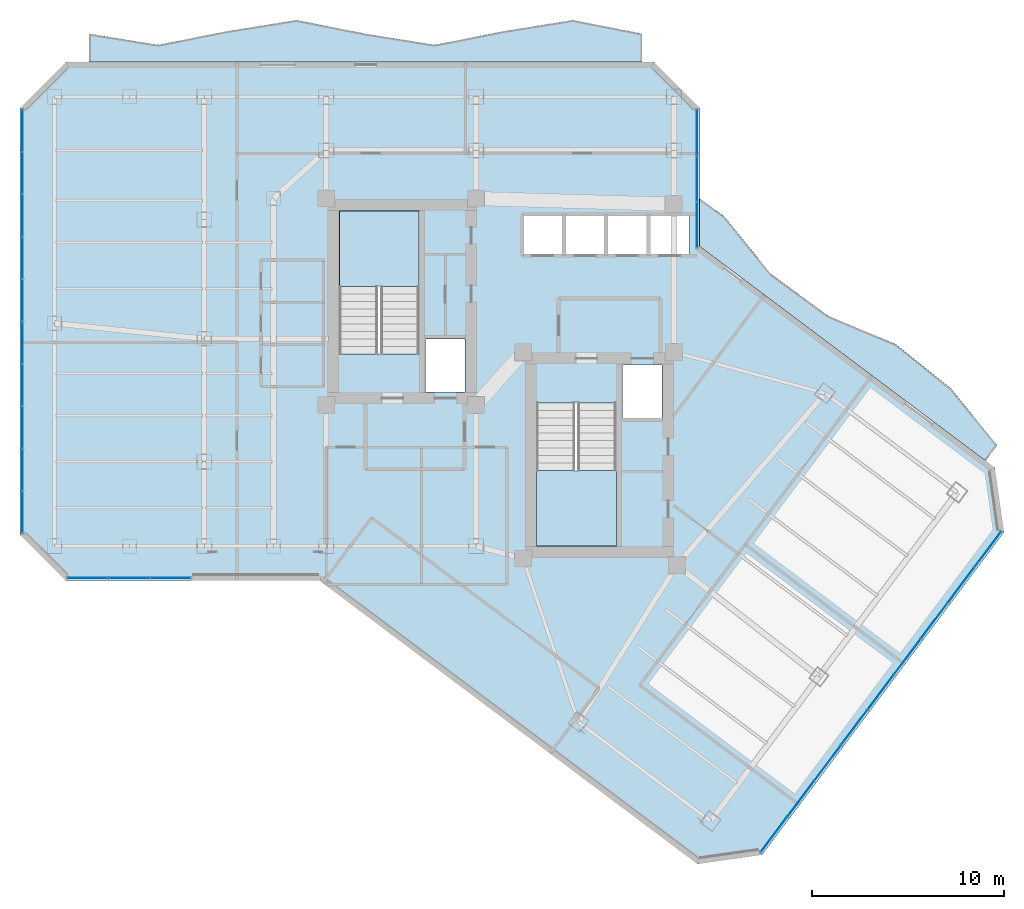
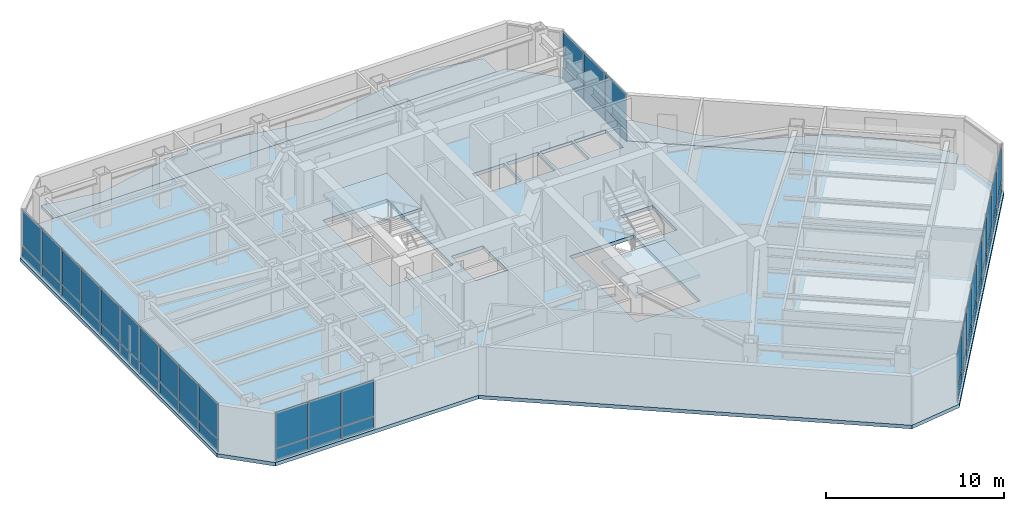
# One storey, part 20 of 27: 50 plates, 5 slabs, 6 elements without a shape of their own.
"""IFC4 building model written with IfcOpenShell, lengths in metres."""

from ifc_helpers import new_model, si_unit, direction, frame, origin, origin_2d, place, context, subcontext, project, spatial, polyline, rectangle, outline, extrude, material, layer, layer_set, type_object, element, aggregate, save


model = new_model("IFC4")

# Units and contexts
model_context = context("Model", 3, precision=1e-05, world=origin(), true_north=direction((0.0, 1.0)))
body_context = subcontext(model_context, "Body", "Model", "MODEL_VIEW")
ifc_project = project(units=[si_unit("LENGTHUNIT", "METRE"), si_unit("AREAUNIT", "SQUARE_METRE"), si_unit("VOLUMEUNIT", "CUBIC_METRE"), si_unit("PLANEANGLEUNIT", "RADIAN"), si_unit("MASSUNIT", "GRAM", prefix="KILO")], contexts=[model_context])

# Site, building, storey
site_placement = place(None, origin())
site = spatial("IfcSite", under=ifc_project, at=site_placement, CompositionType="ELEMENT")
building_placement = place(site_placement, origin())
building = spatial("IfcBuilding", under=site, at=building_placement, Name="Hatsunagi Terrace Concourse", CompositionType="ELEMENT")
storey_placement = place(building_placement, frame((0.0, 0.0, 174.449951171875)))
storey = spatial("IfcBuildingStorey", under=building, at=storey_placement, Name="L46", CompositionType="ELEMENT", Elevation=174.449951171875)

# Curtain wall, plates
ifc_material_1 = material(Name="Anodised Aluminium Alloy 6063-T5", Category="aluminium")
ifc_layer_1 = layer(ifc_material_1, 0.199951171875)
ifc_layer_set_1 = layer_set([ifc_layer_1], Name="OfficeZone1_CW03")
curtain_wall_type = type_object("IfcCurtainWallType", Name="OfficeZone1_CW03", PredefinedType="NOTDEFINED", material=ifc_layer_set_1)
curtain_wall_1_placement = place(storey_placement, origin())
curtain_wall_1 = element("IfcCurtainWall", 1, at=curtain_wall_1_placement, inside=storey, type_object=curtain_wall_type, Name="Unitised Curtain Wall CW-03 CW-L46-03", PredefinedType="NOTDEFINED")
ifc_material_2 = material(Name="Warm Terracotta Ceramic Spandrel Panel", Category="masonry")
ifc_layer_2 = layer(ifc_material_2, 0.031982421875)
ifc_layer_set_2 = layer_set([ifc_layer_2], Name="CurtainWallSpandrelPanel_32")
plate_type_1 = type_object("IfcPlateType", Name="CurtainWallSpandrelPanel_32", PredefinedType="SHEET", material=ifc_layer_set_2)
plate_1_placement = place(storey_placement, frame((59.9970703125, 25.030029296875, 0.030029296875), z_axis=(0.0, 0.0, 1.0), x_axis=(-0.599969314634, -0.800023013105, 0.0)))
plate_1 = element("IfcPlate", 2, at=plate_1_placement, type_object=plate_type_1, Name="Terracotta Spandrel Panel SPN-01", PredefinedType="SHEET", context=body_context, shape_type="SweptSolid", body=[
    extrude(rectangle(XDim=2.264892578125, YDim=0.031982421875, at=origin_2d()), origin(), (0.0, 0.0, 1.0), 0.7900390625),
])
plate_2_placement = place(storey_placement, frame((58.60498046875, 23.173095703125, 0.030029296875), z_axis=(0.0, 0.0, 1.0), x_axis=(-0.599969314634, -0.800023013105, 0.0)))
plate_2 = element("IfcPlate", 3, at=plate_2_placement, type_object=plate_type_1, Name="Terracotta Spandrel Panel SPN-01", PredefinedType="SHEET", context=body_context, shape_type="SweptSolid", body=[
    extrude(rectangle(XDim=2.264892578125, YDim=0.031982421875, at=origin_2d()), origin(), (0.0, 0.0, 1.0), 0.7900390625),
])
plate_3_placement = place(storey_placement, frame((57.2119140625, 21.31689453125, 0.030029296875), z_axis=(0.0, 0.0, 1.0), x_axis=(-0.599969314634, -0.800023013105, 0.0)))
plate_3 = element("IfcPlate", 4, at=plate_3_placement, type_object=plate_type_1, Name="Terracotta Spandrel Panel SPN-01", PredefinedType="SHEET", context=body_context, shape_type="SweptSolid", body=[
    extrude(rectangle(XDim=2.264892578125, YDim=0.031982421875, at=origin_2d()), origin(), (0.0, 0.0, 1.0), 0.7900390625),
])
plate_4_placement = place(storey_placement, frame((55.820068359375, 19.4599609375, 0.030029296875), z_axis=(0.0, 0.0, 1.0), x_axis=(-0.599969314634, -0.800023013105, 0.0)))
plate_4 = element("IfcPlate", 5, at=plate_4_placement, type_object=plate_type_1, Name="Terracotta Spandrel Panel SPN-01", PredefinedType="SHEET", context=body_context, shape_type="SweptSolid", body=[
    extrude(rectangle(XDim=2.264892578125, YDim=0.031982421875, at=origin_2d()), origin(), (0.0, 0.0, 1.0), 0.7900390625),
])
plate_5_placement = place(storey_placement, frame((54.427978515625, 17.60400390625, 0.030029296875), z_axis=(0.0, 0.0, 1.0), x_axis=(-0.599969314634, -0.800023013105, 0.0)))
plate_5 = element("IfcPlate", 6, at=plate_5_placement, type_object=plate_type_1, Name="Terracotta Spandrel Panel SPN-01", PredefinedType="SHEET", context=body_context, shape_type="SweptSolid", body=[
    extrude(rectangle(XDim=2.264892578125, YDim=0.031982421875, at=origin_2d()), origin(), (0.0, 0.0, 1.0), 0.7900390625),
])
plate_6_placement = place(storey_placement, frame((53.035888671875, 15.748046875, 0.030029296875), z_axis=(0.0, 0.0, 1.0), x_axis=(-0.599969314634, -0.800023013105, 0.0)))
plate_6 = element("IfcPlate", 7, at=plate_6_placement, type_object=plate_type_1, Name="Terracotta Spandrel Panel SPN-01", PredefinedType="SHEET", context=body_context, shape_type="SweptSolid", body=[
    extrude(rectangle(XDim=2.264892578125, YDim=0.031982421875, at=origin_2d()), origin(), (0.0, 0.0, 1.0), 0.7900390625),
])
plate_7_placement = place(storey_placement, frame((51.64404296875, 13.89111328125, 0.030029296875), z_axis=(0.0, 0.0, 1.0), x_axis=(-0.599969314634, -0.800023013105, 0.0)))
plate_7 = element("IfcPlate", 8, at=plate_7_placement, type_object=plate_type_1, Name="Terracotta Spandrel Panel SPN-01", PredefinedType="SHEET", context=body_context, shape_type="SweptSolid", body=[
    extrude(rectangle(XDim=2.264892578125, YDim=0.031982421875, at=origin_2d()), origin(), (0.0, 0.0, 1.0), 0.7900390625),
])
plate_8_placement = place(storey_placement, frame((50.2509765625, 12.034912109375, 0.030029296875), z_axis=(0.0, 0.0, 1.0), x_axis=(-0.599969314634, -0.800023013105, 0.0)))
plate_8 = element("IfcPlate", 9, at=plate_8_placement, type_object=plate_type_1, Name="Terracotta Spandrel Panel SPN-01", PredefinedType="SHEET", context=body_context, shape_type="SweptSolid", body=[
    extrude(rectangle(XDim=2.264892578125, YDim=0.031982421875, at=origin_2d()), origin(), (0.0, 0.0, 1.0), 0.7900390625),
])
plate_9_placement = place(storey_placement, frame((48.85888671875, 10.177978515625, 0.030029296875), z_axis=(0.0, 0.0, 1.0), x_axis=(-0.599969314634, -0.800023013105, 0.0)))
plate_9 = element("IfcPlate", 10, at=plate_9_placement, type_object=plate_type_1, Name="Terracotta Spandrel Panel SPN-01", PredefinedType="SHEET", context=body_context, shape_type="SweptSolid", body=[
    extrude(rectangle(XDim=2.264892578125, YDim=0.031982421875, at=origin_2d()), origin(), (0.0, 0.0, 1.0), 0.7900390625),
])

curtain_wall_2_placement = place(storey_placement, origin())
curtain_wall_2 = element("IfcCurtainWall", 11, at=curtain_wall_2_placement, inside=storey, type_object=curtain_wall_type, Name="Unitised Curtain Wall CW-03 CW-L46-07", PredefinedType="NOTDEFINED")
plate_10_placement = place(storey_placement, frame((17.426025390625, 23.5400390625, 0.030029296875), z_axis=(0.0, 0.0, 1.0), x_axis=(-1.0, 0.0, 0.0)))
plate_10 = element("IfcPlate", 12, at=plate_10_placement, type_object=plate_type_1, Name="Terracotta Spandrel Panel SPN-01", PredefinedType="SHEET", context=body_context, shape_type="SweptSolid", body=[
    extrude(rectangle(XDim=2.092041015625, YDim=0.031982421875, at=origin_2d()), origin(), (0.0, 0.0, 1.0), 0.7900390625),
])
plate_11_placement = place(storey_placement, frame((15.279052734375, 23.5400390625, 0.030029296875), z_axis=(0.0, 0.0, 1.0), x_axis=(-1.0, 0.0, 0.0)))
plate_11 = element("IfcPlate", 13, at=plate_11_placement, type_object=plate_type_1, Name="Terracotta Spandrel Panel SPN-01", PredefinedType="SHEET", context=body_context, shape_type="SweptSolid", body=[
    extrude(rectangle(XDim=2.092041015625, YDim=0.031982421875, at=origin_2d()), origin(), (0.0, 0.0, 1.0), 0.7900390625),
])
plate_12_placement = place(storey_placement, frame((13.132080078125, 23.5400390625, 0.030029296875), z_axis=(0.0, 0.0, 1.0), x_axis=(-1.0, 0.0, 0.0)))
plate_12 = element("IfcPlate", 14, at=plate_12_placement, type_object=plate_type_1, Name="Terracotta Spandrel Panel SPN-01", PredefinedType="SHEET", context=body_context, shape_type="SweptSolid", body=[
    extrude(rectangle(XDim=2.092041015625, YDim=0.031982421875, at=origin_2d()), origin(), (0.0, 0.0, 1.0), 0.7900390625),
])

curtain_wall_3_placement = place(storey_placement, origin())
curtain_wall_3 = element("IfcCurtainWall", 15, at=curtain_wall_3_placement, inside=storey, type_object=curtain_wall_type, Name="Unitised Curtain Wall CW-03 CW-L46-09", PredefinedType="NOTDEFINED")
plate_13_placement = place(storey_placement, frame((9.739990234375, 26.9619140625, 0.030029296875), z_axis=(0.0, 0.0, 1.0), x_axis=(0.0, 1.0, 0.0)))
plate_13 = element("IfcPlate", 16, at=plate_13_placement, type_object=plate_type_1, Name="Terracotta Spandrel Panel SPN-01", PredefinedType="SHEET", context=body_context, shape_type="SweptSolid", body=[
    extrude(rectangle(XDim=2.153076171875, YDim=0.031982421875, at=origin_2d()), origin(), (0.0, 0.0, 1.0), 0.7900390625),
])
plate_14_placement = place(storey_placement, frame((9.739990234375, 29.1708984375, 0.030029296875), z_axis=(0.0, 0.0, 1.0), x_axis=(0.0, 1.0, 0.0)))
plate_14 = element("IfcPlate", 17, at=plate_14_placement, type_object=plate_type_1, Name="Terracotta Spandrel Panel SPN-01", PredefinedType="SHEET", context=body_context, shape_type="SweptSolid", body=[
    extrude(rectangle(XDim=2.153076171875, YDim=0.031982421875, at=origin_2d()), origin(), (0.0, 0.0, 1.0), 0.7900390625),
])
plate_15_placement = place(storey_placement, frame((9.739990234375, 31.37890625, 0.030029296875), z_axis=(0.0, 0.0, 1.0), x_axis=(0.0, 1.0, 0.0)))
plate_15 = element("IfcPlate", 18, at=plate_15_placement, type_object=plate_type_1, Name="Terracotta Spandrel Panel SPN-01", PredefinedType="SHEET", context=body_context, shape_type="SweptSolid", body=[
    extrude(rectangle(XDim=2.153076171875, YDim=0.031982421875, at=origin_2d()), origin(), (0.0, 0.0, 1.0), 0.7900390625),
])
plate_16_placement = place(storey_placement, frame((9.739990234375, 33.5869140625, 0.030029296875), z_axis=(0.0, 0.0, 1.0), x_axis=(0.0, 1.0, 0.0)))
plate_16 = element("IfcPlate", 19, at=plate_16_placement, type_object=plate_type_1, Name="Terracotta Spandrel Panel SPN-01", PredefinedType="SHEET", context=body_context, shape_type="SweptSolid", body=[
    extrude(rectangle(XDim=2.153076171875, YDim=0.031982421875, at=origin_2d()), origin(), (0.0, 0.0, 1.0), 0.7900390625),
])
plate_17_placement = place(storey_placement, frame((9.739990234375, 35.7958984375, 0.030029296875), z_axis=(0.0, 0.0, 1.0), x_axis=(0.0, 1.0, 0.0)))
plate_17 = element("IfcPlate", 20, at=plate_17_placement, type_object=plate_type_1, Name="Terracotta Spandrel Panel SPN-01", PredefinedType="SHEET", context=body_context, shape_type="SweptSolid", body=[
    extrude(rectangle(XDim=2.153076171875, YDim=0.031982421875, at=origin_2d()), origin(), (0.0, 0.0, 1.0), 0.7900390625),
])
plate_18_placement = place(storey_placement, frame((9.739990234375, 38.00390625, 0.030029296875), z_axis=(0.0, 0.0, 1.0), x_axis=(0.0, 1.0, 0.0)))
plate_18 = element("IfcPlate", 21, at=plate_18_placement, type_object=plate_type_1, Name="Terracotta Spandrel Panel SPN-01", PredefinedType="SHEET", context=body_context, shape_type="SweptSolid", body=[
    extrude(rectangle(XDim=2.153076171875, YDim=0.031982421875, at=origin_2d()), origin(), (0.0, 0.0, 1.0), 0.7900390625),
])
plate_19_placement = place(storey_placement, frame((9.739990234375, 40.212890625, 0.030029296875), z_axis=(0.0, 0.0, 1.0), x_axis=(0.0, 1.0, 0.0)))
plate_19 = element("IfcPlate", 22, at=plate_19_placement, type_object=plate_type_1, Name="Terracotta Spandrel Panel SPN-01", PredefinedType="SHEET", context=body_context, shape_type="SweptSolid", body=[
    extrude(rectangle(XDim=2.153076171875, YDim=0.031982421875, at=origin_2d()), origin(), (0.0, 0.0, 1.0), 0.7900390625),
])
plate_20_placement = place(storey_placement, frame((9.739990234375, 42.4208984375, 0.030029296875), z_axis=(0.0, 0.0, 1.0), x_axis=(0.0, 1.0, 0.0)))
plate_20 = element("IfcPlate", 23, at=plate_20_placement, type_object=plate_type_1, Name="Terracotta Spandrel Panel SPN-01", PredefinedType="SHEET", context=body_context, shape_type="SweptSolid", body=[
    extrude(rectangle(XDim=2.153076171875, YDim=0.031982421875, at=origin_2d()), origin(), (0.0, 0.0, 1.0), 0.7900390625),
])
plate_21_placement = place(storey_placement, frame((9.739990234375, 44.62890625, 0.030029296875), z_axis=(0.0, 0.0, 1.0), x_axis=(0.0, 1.0, 0.0)))
plate_21 = element("IfcPlate", 24, at=plate_21_placement, type_object=plate_type_1, Name="Terracotta Spandrel Panel SPN-01", PredefinedType="SHEET", context=body_context, shape_type="SweptSolid", body=[
    extrude(rectangle(XDim=2.153076171875, YDim=0.031982421875, at=origin_2d()), origin(), (0.0, 0.0, 1.0), 0.7900390625),
])
plate_22_placement = place(storey_placement, frame((9.739990234375, 46.837890625, 0.030029296875), z_axis=(0.0, 0.0, 1.0), x_axis=(0.0, 1.0, 0.0)))
plate_22 = element("IfcPlate", 25, at=plate_22_placement, type_object=plate_type_1, Name="Terracotta Spandrel Panel SPN-01", PredefinedType="SHEET", context=body_context, shape_type="SweptSolid", body=[
    extrude(rectangle(XDim=2.153076171875, YDim=0.031982421875, at=origin_2d()), origin(), (0.0, 0.0, 1.0), 0.7900390625),
])

curtain_wall_4_placement = place(storey_placement, origin())
curtain_wall_4 = element("IfcCurtainWall", 26, at=curtain_wall_4_placement, inside=storey, type_object=curtain_wall_type, Name="Unitised Curtain Wall CW-03 CW-L46-13", PredefinedType="NOTDEFINED")
plate_23_placement = place(storey_placement, frame((44.860107421875, 46.739990234375, 0.030029296875), z_axis=(0.0, 0.0, 1.0), x_axis=(0.0, -1.0, 0.0)))
plate_23 = element("IfcPlate", 27, at=plate_23_placement, type_object=plate_type_1, Name="Terracotta Spandrel Panel SPN-01", PredefinedType="SHEET", context=body_context, shape_type="SweptSolid", body=[
    extrude(rectangle(XDim=2.34912109375, YDim=0.031982421875, at=origin_2d()), origin(), (0.0, 0.0, 1.0), 0.7900390625),
])
plate_24_placement = place(storey_placement, frame((44.860107421875, 44.3359375, 0.030029296875), z_axis=(0.0, 0.0, 1.0), x_axis=(0.0, -1.0, 0.0)))
plate_24 = element("IfcPlate", 28, at=plate_24_placement, type_object=plate_type_1, Name="Terracotta Spandrel Panel SPN-01", PredefinedType="SHEET", context=body_context, shape_type="SweptSolid", body=[
    extrude(rectangle(XDim=2.34912109375, YDim=0.031982421875, at=origin_2d()), origin(), (0.0, 0.0, 1.0), 0.7900390625),
])
plate_25_placement = place(storey_placement, frame((44.860107421875, 41.931884765625, 0.030029296875), z_axis=(0.0, 0.0, 1.0), x_axis=(0.0, -1.0, 0.0)))
plate_25 = element("IfcPlate", 29, at=plate_25_placement, type_object=plate_type_1, Name="Terracotta Spandrel Panel SPN-01", PredefinedType="SHEET", context=body_context, shape_type="SweptSolid", body=[
    extrude(rectangle(XDim=2.34912109375, YDim=0.031982421875, at=origin_2d()), origin(), (0.0, 0.0, 1.0), 0.7900390625),
])

# Plate
ifc_material_3 = material(Name="Low-E Double Insulating Glass 28mm", Category="glass")
ifc_layer_3 = layer(ifc_material_3, 0.028076171875)
ifc_layer_set_3 = layer_set([ifc_layer_3], Name="CurtainWallVisionGlass_28")
plate_type_2 = type_object("IfcPlateType", Name="CurtainWallVisionGlass_28", PredefinedType="CURTAIN_PANEL", material=ifc_layer_set_3)
plate_26_placement = place(storey_placement, frame((59.9970703125, 25.030029296875, 0.880126953125), z_axis=(0.0, 0.0, 1.0), x_axis=(-0.599969314634, -0.800023013105, 0.0)))
plate_26 = element("IfcPlate", 30, at=plate_26_placement, type_object=plate_type_2, Name="Low-E Vision Glass Panel GLZ-01", PredefinedType="CURTAIN_PANEL", context=body_context, shape_type="SweptSolid", body=[
    extrude(rectangle(XDim=2.264892578125, YDim=0.028076171875, at=origin_2d()), origin(), (0.0, 0.0, 1.0), 2.43994140625),
])

plate_27_placement = place(storey_placement, frame((58.60498046875, 23.173095703125, 0.880126953125), z_axis=(0.0, 0.0, 1.0), x_axis=(-0.599969314634, -0.800023013105, 0.0)))
plate_27 = element("IfcPlate", 31, at=plate_27_placement, type_object=plate_type_2, Name="Low-E Vision Glass Panel GLZ-01", PredefinedType="CURTAIN_PANEL", context=body_context, shape_type="SweptSolid", body=[
    extrude(rectangle(XDim=2.264892578125, YDim=0.028076171875, at=origin_2d()), origin(), (0.0, 0.0, 1.0), 2.43994140625),
])

plate_28_placement = place(storey_placement, frame((57.2119140625, 21.31689453125, 0.880126953125), z_axis=(0.0, 0.0, 1.0), x_axis=(-0.599969314634, -0.800023013105, 0.0)))
plate_28 = element("IfcPlate", 32, at=plate_28_placement, type_object=plate_type_2, Name="Low-E Vision Glass Panel GLZ-01", PredefinedType="CURTAIN_PANEL", context=body_context, shape_type="SweptSolid", body=[
    extrude(rectangle(XDim=2.264892578125, YDim=0.028076171875, at=origin_2d()), origin(), (0.0, 0.0, 1.0), 2.43994140625),
])

plate_29_placement = place(storey_placement, frame((55.820068359375, 19.4599609375, 0.880126953125), z_axis=(0.0, 0.0, 1.0), x_axis=(-0.599969314634, -0.800023013105, 0.0)))
plate_29 = element("IfcPlate", 33, at=plate_29_placement, type_object=plate_type_2, Name="Low-E Vision Glass Panel GLZ-01", PredefinedType="CURTAIN_PANEL", context=body_context, shape_type="SweptSolid", body=[
    extrude(rectangle(XDim=2.264892578125, YDim=0.028076171875, at=origin_2d()), origin(), (0.0, 0.0, 1.0), 2.43994140625),
])

plate_30_placement = place(storey_placement, frame((54.427978515625, 17.60400390625, 0.880126953125), z_axis=(0.0, 0.0, 1.0), x_axis=(-0.599969314634, -0.800023013105, 0.0)))
plate_30 = element("IfcPlate", 34, at=plate_30_placement, type_object=plate_type_2, Name="Low-E Vision Glass Panel GLZ-01", PredefinedType="CURTAIN_PANEL", context=body_context, shape_type="SweptSolid", body=[
    extrude(rectangle(XDim=2.264892578125, YDim=0.028076171875, at=origin_2d()), origin(), (0.0, 0.0, 1.0), 2.43994140625),
])

plate_31_placement = place(storey_placement, frame((53.035888671875, 15.748046875, 0.880126953125), z_axis=(0.0, 0.0, 1.0), x_axis=(-0.599969314634, -0.800023013105, 0.0)))
plate_31 = element("IfcPlate", 35, at=plate_31_placement, type_object=plate_type_2, Name="Low-E Vision Glass Panel GLZ-01", PredefinedType="CURTAIN_PANEL", context=body_context, shape_type="SweptSolid", body=[
    extrude(rectangle(XDim=2.264892578125, YDim=0.028076171875, at=origin_2d()), origin(), (0.0, 0.0, 1.0), 2.43994140625),
])

plate_32_placement = place(storey_placement, frame((51.64404296875, 13.89111328125, 0.880126953125), z_axis=(0.0, 0.0, 1.0), x_axis=(-0.599969314634, -0.800023013105, 0.0)))
plate_32 = element("IfcPlate", 36, at=plate_32_placement, type_object=plate_type_2, Name="Low-E Vision Glass Panel GLZ-01", PredefinedType="CURTAIN_PANEL", context=body_context, shape_type="SweptSolid", body=[
    extrude(rectangle(XDim=2.264892578125, YDim=0.028076171875, at=origin_2d()), origin(), (0.0, 0.0, 1.0), 2.43994140625),
])

plate_33_placement = place(storey_placement, frame((50.2509765625, 12.034912109375, 0.880126953125), z_axis=(0.0, 0.0, 1.0), x_axis=(-0.599969314634, -0.800023013105, 0.0)))
plate_33 = element("IfcPlate", 37, at=plate_33_placement, type_object=plate_type_2, Name="Low-E Vision Glass Panel GLZ-01", PredefinedType="CURTAIN_PANEL", context=body_context, shape_type="SweptSolid", body=[
    extrude(rectangle(XDim=2.264892578125, YDim=0.028076171875, at=origin_2d()), origin(), (0.0, 0.0, 1.0), 2.43994140625),
])

plate_34_placement = place(storey_placement, frame((48.85888671875, 10.177978515625, 0.880126953125), z_axis=(0.0, 0.0, 1.0), x_axis=(-0.599969314634, -0.800023013105, 0.0)))
plate_34 = element("IfcPlate", 38, at=plate_34_placement, type_object=plate_type_2, Name="Low-E Vision Glass Panel GLZ-01", PredefinedType="CURTAIN_PANEL", context=body_context, shape_type="SweptSolid", body=[
    extrude(rectangle(XDim=2.264892578125, YDim=0.028076171875, at=origin_2d()), origin(), (0.0, 0.0, 1.0), 2.43994140625),
])

aggregate(curtain_wall_1, [plate_1, plate_26, plate_2, plate_27, plate_3, plate_28, plate_4, plate_29, plate_5, plate_30, plate_6, plate_31, plate_7, plate_32, plate_8, plate_33, plate_9, plate_34])

plate_35_placement = place(storey_placement, frame((17.426025390625, 23.5400390625, 0.880126953125), z_axis=(0.0, 0.0, 1.0), x_axis=(-1.0, 0.0, 0.0)))
plate_35 = element("IfcPlate", 39, at=plate_35_placement, type_object=plate_type_2, Name="Low-E Vision Glass Panel GLZ-01", PredefinedType="CURTAIN_PANEL", context=body_context, shape_type="SweptSolid", body=[
    extrude(rectangle(XDim=2.092041015625, YDim=0.028076171875, at=origin_2d()), origin(), (0.0, 0.0, 1.0), 2.43994140625),
])

plate_36_placement = place(storey_placement, frame((15.279052734375, 23.5400390625, 0.880126953125), z_axis=(0.0, 0.0, 1.0), x_axis=(-1.0, 0.0, 0.0)))
plate_36 = element("IfcPlate", 40, at=plate_36_placement, type_object=plate_type_2, Name="Low-E Vision Glass Panel GLZ-01", PredefinedType="CURTAIN_PANEL", context=body_context, shape_type="SweptSolid", body=[
    extrude(rectangle(XDim=2.092041015625, YDim=0.028076171875, at=origin_2d()), origin(), (0.0, 0.0, 1.0), 2.43994140625),
])

plate_37_placement = place(storey_placement, frame((13.132080078125, 23.5400390625, 0.880126953125), z_axis=(0.0, 0.0, 1.0), x_axis=(-1.0, 0.0, 0.0)))
plate_37 = element("IfcPlate", 41, at=plate_37_placement, type_object=plate_type_2, Name="Low-E Vision Glass Panel GLZ-01", PredefinedType="CURTAIN_PANEL", context=body_context, shape_type="SweptSolid", body=[
    extrude(rectangle(XDim=2.092041015625, YDim=0.028076171875, at=origin_2d()), origin(), (0.0, 0.0, 1.0), 2.43994140625),
])

aggregate(curtain_wall_2, [plate_10, plate_35, plate_11, plate_36, plate_12, plate_37])

plate_38_placement = place(storey_placement, frame((9.739990234375, 26.9619140625, 0.880126953125), z_axis=(0.0, 0.0, 1.0), x_axis=(0.0, 1.0, 0.0)))
plate_38 = element("IfcPlate", 42, at=plate_38_placement, type_object=plate_type_2, Name="Low-E Vision Glass Panel GLZ-01", PredefinedType="CURTAIN_PANEL", context=body_context, shape_type="SweptSolid", body=[
    extrude(rectangle(XDim=2.153076171875, YDim=0.028076171875, at=origin_2d()), origin(), (0.0, 0.0, 1.0), 2.43994140625),
])

plate_39_placement = place(storey_placement, frame((9.739990234375, 29.1708984375, 0.880126953125), z_axis=(0.0, 0.0, 1.0), x_axis=(0.0, 1.0, 0.0)))
plate_39 = element("IfcPlate", 43, at=plate_39_placement, type_object=plate_type_2, Name="Low-E Vision Glass Panel GLZ-01", PredefinedType="CURTAIN_PANEL", context=body_context, shape_type="SweptSolid", body=[
    extrude(rectangle(XDim=2.153076171875, YDim=0.028076171875, at=origin_2d()), origin(), (0.0, 0.0, 1.0), 2.43994140625),
])

plate_40_placement = place(storey_placement, frame((9.739990234375, 31.37890625, 0.880126953125), z_axis=(0.0, 0.0, 1.0), x_axis=(0.0, 1.0, 0.0)))
plate_40 = element("IfcPlate", 44, at=plate_40_placement, type_object=plate_type_2, Name="Low-E Vision Glass Panel GLZ-01", PredefinedType="CURTAIN_PANEL", context=body_context, shape_type="SweptSolid", body=[
    extrude(rectangle(XDim=2.153076171875, YDim=0.028076171875, at=origin_2d()), origin(), (0.0, 0.0, 1.0), 2.43994140625),
])

plate_41_placement = place(storey_placement, frame((9.739990234375, 33.5869140625, 0.880126953125), z_axis=(0.0, 0.0, 1.0), x_axis=(0.0, 1.0, 0.0)))
plate_41 = element("IfcPlate", 45, at=plate_41_placement, type_object=plate_type_2, Name="Low-E Vision Glass Panel GLZ-01", PredefinedType="CURTAIN_PANEL", context=body_context, shape_type="SweptSolid", body=[
    extrude(rectangle(XDim=2.153076171875, YDim=0.028076171875, at=origin_2d()), origin(), (0.0, 0.0, 1.0), 2.43994140625),
])

plate_42_placement = place(storey_placement, frame((9.739990234375, 35.7958984375, 0.880126953125), z_axis=(0.0, 0.0, 1.0), x_axis=(0.0, 1.0, 0.0)))
plate_42 = element("IfcPlate", 46, at=plate_42_placement, type_object=plate_type_2, Name="Low-E Vision Glass Panel GLZ-01", PredefinedType="CURTAIN_PANEL", context=body_context, shape_type="SweptSolid", body=[
    extrude(rectangle(XDim=2.153076171875, YDim=0.028076171875, at=origin_2d()), origin(), (0.0, 0.0, 1.0), 2.43994140625),
])

plate_43_placement = place(storey_placement, frame((9.739990234375, 38.00390625, 0.880126953125), z_axis=(0.0, 0.0, 1.0), x_axis=(0.0, 1.0, 0.0)))
plate_43 = element("IfcPlate", 47, at=plate_43_placement, type_object=plate_type_2, Name="Low-E Vision Glass Panel GLZ-01", PredefinedType="CURTAIN_PANEL", context=body_context, shape_type="SweptSolid", body=[
    extrude(rectangle(XDim=2.153076171875, YDim=0.028076171875, at=origin_2d()), origin(), (0.0, 0.0, 1.0), 2.43994140625),
])

plate_44_placement = place(storey_placement, frame((9.739990234375, 40.212890625, 0.880126953125), z_axis=(0.0, 0.0, 1.0), x_axis=(0.0, 1.0, 0.0)))
plate_44 = element("IfcPlate", 48, at=plate_44_placement, type_object=plate_type_2, Name="Low-E Vision Glass Panel GLZ-01", PredefinedType="CURTAIN_PANEL", context=body_context, shape_type="SweptSolid", body=[
    extrude(rectangle(XDim=2.153076171875, YDim=0.028076171875, at=origin_2d()), origin(), (0.0, 0.0, 1.0), 2.43994140625),
])

plate_45_placement = place(storey_placement, frame((9.739990234375, 42.4208984375, 0.880126953125), z_axis=(0.0, 0.0, 1.0), x_axis=(0.0, 1.0, 0.0)))
plate_45 = element("IfcPlate", 49, at=plate_45_placement, type_object=plate_type_2, Name="Low-E Vision Glass Panel GLZ-01", PredefinedType="CURTAIN_PANEL", context=body_context, shape_type="SweptSolid", body=[
    extrude(rectangle(XDim=2.153076171875, YDim=0.028076171875, at=origin_2d()), origin(), (0.0, 0.0, 1.0), 2.43994140625),
])

plate_46_placement = place(storey_placement, frame((9.739990234375, 44.62890625, 0.880126953125), z_axis=(0.0, 0.0, 1.0), x_axis=(0.0, 1.0, 0.0)))
plate_46 = element("IfcPlate", 50, at=plate_46_placement, type_object=plate_type_2, Name="Low-E Vision Glass Panel GLZ-01", PredefinedType="CURTAIN_PANEL", context=body_context, shape_type="SweptSolid", body=[
    extrude(rectangle(XDim=2.153076171875, YDim=0.028076171875, at=origin_2d()), origin(), (0.0, 0.0, 1.0), 2.43994140625),
])

plate_47_placement = place(storey_placement, frame((9.739990234375, 46.837890625, 0.880126953125), z_axis=(0.0, 0.0, 1.0), x_axis=(0.0, 1.0, 0.0)))
plate_47 = element("IfcPlate", 51, at=plate_47_placement, type_object=plate_type_2, Name="Low-E Vision Glass Panel GLZ-01", PredefinedType="CURTAIN_PANEL", context=body_context, shape_type="SweptSolid", body=[
    extrude(rectangle(XDim=2.153076171875, YDim=0.028076171875, at=origin_2d()), origin(), (0.0, 0.0, 1.0), 2.43994140625),
])

aggregate(curtain_wall_3, [plate_13, plate_38, plate_14, plate_39, plate_15, plate_40, plate_16, plate_41, plate_17, plate_42, plate_18, plate_43, plate_19, plate_44, plate_20, plate_45, plate_21, plate_46, plate_22, plate_47])

plate_48_placement = place(storey_placement, frame((44.860107421875, 46.739990234375, 0.880126953125), z_axis=(0.0, 0.0, 1.0), x_axis=(0.0, -1.0, 0.0)))
plate_48 = element("IfcPlate", 52, at=plate_48_placement, type_object=plate_type_2, Name="Low-E Vision Glass Panel GLZ-01", PredefinedType="CURTAIN_PANEL", context=body_context, shape_type="SweptSolid", body=[
    extrude(rectangle(XDim=2.34912109375, YDim=0.028076171875, at=origin_2d()), origin(), (0.0, 0.0, 1.0), 2.43994140625),
])

plate_49_placement = place(storey_placement, frame((44.860107421875, 44.3359375, 0.880126953125), z_axis=(0.0, 0.0, 1.0), x_axis=(0.0, -1.0, 0.0)))
plate_49 = element("IfcPlate", 53, at=plate_49_placement, type_object=plate_type_2, Name="Low-E Vision Glass Panel GLZ-01", PredefinedType="CURTAIN_PANEL", context=body_context, shape_type="SweptSolid", body=[
    extrude(rectangle(XDim=2.34912109375, YDim=0.028076171875, at=origin_2d()), origin(), (0.0, 0.0, 1.0), 2.43994140625),
])

plate_50_placement = place(storey_placement, frame((44.860107421875, 41.931884765625, 0.880126953125), z_axis=(0.0, 0.0, 1.0), x_axis=(0.0, -1.0, 0.0)))
plate_50 = element("IfcPlate", 54, at=plate_50_placement, type_object=plate_type_2, Name="Low-E Vision Glass Panel GLZ-01", PredefinedType="CURTAIN_PANEL", context=body_context, shape_type="SweptSolid", body=[
    extrude(rectangle(XDim=2.34912109375, YDim=0.028076171875, at=origin_2d()), origin(), (0.0, 0.0, 1.0), 2.43994140625),
])

aggregate(curtain_wall_4, [plate_23, plate_48, plate_24, plate_49, plate_25, plate_50])

# Stair, slab
ifc_material_4 = material(Name="Concrete Fc42", Category="concrete")
stair_type = type_object("IfcStairType", Name="DoglegExitStair_Tower2000_20R_180", PredefinedType="HALF_TURN_STAIR", material=ifc_material_4)
stair_1_placement = place(storey_placement, origin())
stair_1 = element("IfcStair", 55, at=stair_1_placement, inside=storey, type_object=stair_type, Name="L46 Core A Protected Exit Stair ST-A", PredefinedType="HALF_TURN_STAIR")
ifc_material_5 = material(Name="Concrete Fc42", Category="concrete")
ifc_layer_4 = layer(ifc_material_5, 0.199951171875)
ifc_layer_set_4 = layer_set([ifc_layer_4], Name="DoglegStairLanding_Tower2000")
slab_type_1 = type_object("IfcSlabType", Name="DoglegStairLanding_Tower2000", PredefinedType="LANDING", material=ifc_layer_set_4)
slab_1_placement = place(storey_placement, frame((0.0, 0.0, 1.60009765625)))
slab_1 = element("IfcSlab", 56, at=slab_1_placement, type_object=slab_type_1, Name="ST-A landing 1", PredefinedType="LANDING", context=body_context, shape_type="SweptSolid", body=[
    extrude(outline(polyline([(30.3798828125, 38.7099609375), (30.3798828125, 42.659912109375), (26.22998046875, 42.659912109375), (26.22998046875, 38.7099609375), (30.3798828125, 38.7099609375)])), origin(), (0.0, 0.0, 1.0), 0.199951171875),
])
aggregate(stair_1, [slab_1])

stair_2_placement = place(storey_placement, origin())
stair_2 = element("IfcStair", 57, at=stair_2_placement, inside=storey, type_object=stair_type, Name="L46 Core B Protected Exit Stair ST-B", PredefinedType="HALF_TURN_STAIR")
slab_2_placement = place(storey_placement, frame((0.0, 0.0, 1.60009765625)))
slab_2 = element("IfcSlab", 58, at=slab_2_placement, type_object=slab_type_1, Name="ST-B landing 1", PredefinedType="LANDING", context=body_context, shape_type="SweptSolid", body=[
    extrude(outline(polyline([(36.5, 29.14990234375), (36.5, 25.199951171875), (40.64990234375, 25.199951171875), (40.64990234375, 29.14990234375), (36.5, 29.14990234375)])), origin(), (0.0, 0.0, 1.0), 0.199951171875),
])
aggregate(stair_2, [slab_2])

# Slabs
ifc_material_6 = material(Name="Concrete Fc42", Category="concrete")
ifc_layer_5 = layer(ifc_material_6, 0.199951171875)
ifc_layer_set_5 = layer_set([ifc_layer_5], Name="EngawaBalconySlab_Fc42_200")
slab_type_2 = type_object("IfcSlabType", Name="EngawaBalconySlab_Fc42_200", PredefinedType="FLOOR", material=ifc_layer_set_5)
slab_3_placement = place(storey_placement, frame((0.0, 0.0, -0.199951171875)))
element("IfcSlab", 59, at=slab_3_placement, inside=storey, type_object=slab_type_2, Name="Engawa Balcony Slab BAL-L46-BN", PredefinedType="FLOOR", context=body_context, shape_type="SweptSolid", body=[
    extrude(outline(polyline([(13.199951171875, 51.882080078125), (13.199951171875, 50.39990234375), (42.0, 50.39990234375), (42.0, 51.882080078125), (38.39990234375, 52.595947265625), (34.800048828125, 52.01806640625), (31.199951171875, 51.303955078125), (27.60009765625, 51.882080078125), (24.0, 52.595947265625), (20.39990234375, 52.01806640625), (16.800048828125, 51.303955078125), (13.199951171875, 51.882080078125)])), origin(), (0.0, 0.0, 1.0), 0.199951171875),
])
slab_4_placement = place(storey_placement, frame((0.0, 0.0, -0.199951171875)))
element("IfcSlab", 60, at=slab_4_placement, inside=storey, type_object=slab_type_2, Name="Engawa Balcony Slab BAL-L46-BSE", PredefinedType="FLOOR", context=body_context, shape_type="SweptSolid", body=[
    extrude(outline(polyline([(46.29296875, 42.35693359375), (44.99609375, 43.304931640625), (44.99609375, 40.802978515625), (59.8798828125, 29.639892578125), (60.487060546875, 30.448974609375), (58.08203125, 33.408935546875), (55.193115234375, 35.72412109375), (51.672119140625, 37.195068359375), (48.68896484375, 39.385986328125), (46.29296875, 42.35693359375)])), origin(), (0.0, 0.0, 1.0), 0.199951171875),
])
ifc_material_7 = material(Name="Concrete Fc42", Category="concrete")
ifc_layer_6 = layer(ifc_material_7, 0.25)
ifc_layer_set_6 = layer_set([ifc_layer_6], Name="OfficeCrownSlab_Fc42_250")
slab_type_3 = type_object("IfcSlabType", Name="OfficeCrownSlab_Fc42_250", PredefinedType="FLOOR", material=ifc_layer_set_6)
slab_5_placement = place(storey_placement, frame((0.0, 0.0, -0.25)))
element("IfcSlab", 61, at=slab_5_placement, inside=storey, type_object=slab_type_3, Name="Floor Slab SL-250 L46", PredefinedType="FLOOR", context=body_context, shape_type="SweptSolid", body=[
    extrude(outline(polyline([(45.0, 40.800048828125), (45.0, 48.0), (42.60009765625, 50.39990234375), (12.0, 50.39990234375), (9.60009765625, 48.0), (9.60009765625, 25.800048828125), (12.0, 23.39990234375), (25.199951171875, 23.39990234375), (44.8798828125, 8.639892578125), (48.239990234375, 9.1201171875), (60.840087890625, 25.919921875), (60.360107421875, 29.280029296875), (45.0, 40.800048828125)]), holes=[polyline([(26.22998046875, 35.205078125), (30.3798828125, 35.205078125), (30.3798828125, 42.659912109375), (26.22998046875, 42.659912109375), (26.22998046875, 35.205078125)]), polyline([(36.5, 25.199951171875), (40.64990234375, 25.199951171875), (40.64990234375, 32.655029296875), (36.5, 32.655029296875), (36.5, 25.199951171875)]), polyline([(30.719970703125, 33.219970703125), (32.780029296875, 33.219970703125), (32.780029296875, 35.97998046875), (30.719970703125, 35.97998046875), (30.719970703125, 33.219970703125)]), polyline([(40.97998046875, 31.8798828125), (43.02001953125, 31.8798828125), (43.02001953125, 34.639892578125), (40.97998046875, 34.639892578125), (40.97998046875, 31.8798828125)]), polyline([(35.800048828125, 40.39990234375), (37.85009765625, 40.39990234375), (37.85009765625, 42.39990234375), (35.800048828125, 42.39990234375), (35.800048828125, 40.39990234375)]), polyline([(38.0, 40.39990234375), (40.050048828125, 40.39990234375), (40.050048828125, 42.39990234375), (38.0, 42.39990234375), (38.0, 40.39990234375)]), polyline([(40.199951171875, 40.39990234375), (42.25, 40.39990234375), (42.25, 42.39990234375), (40.199951171875, 42.39990234375), (40.199951171875, 40.39990234375)]), polyline([(42.39990234375, 40.39990234375), (44.449951171875, 40.39990234375), (44.449951171875, 42.39990234375), (42.39990234375, 42.39990234375), (42.39990234375, 40.39990234375)])]), origin(), (0.0, 0.0, 1.0), 0.25),
])

save(model, "model.ifc")
